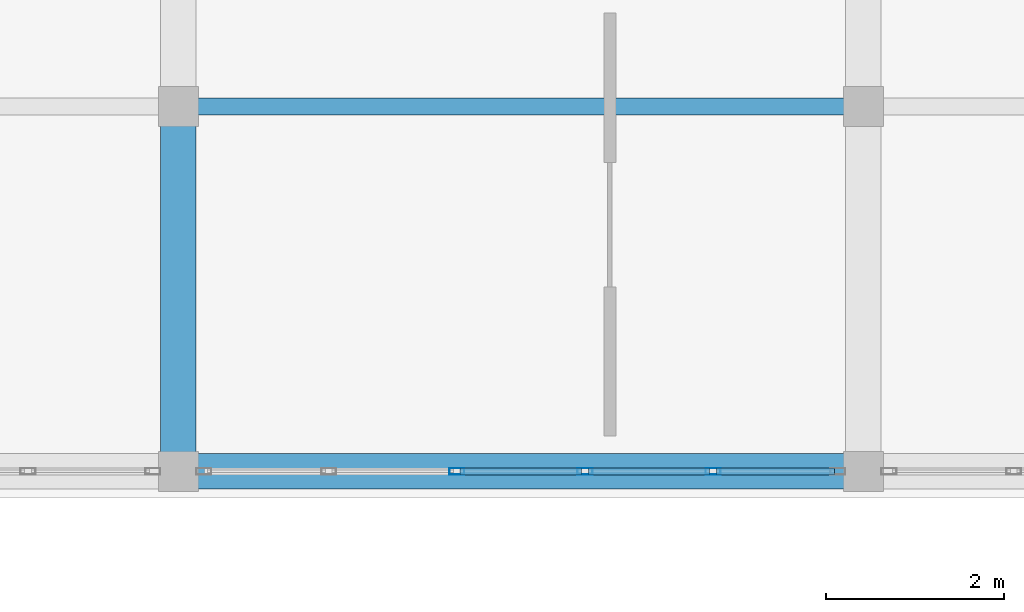
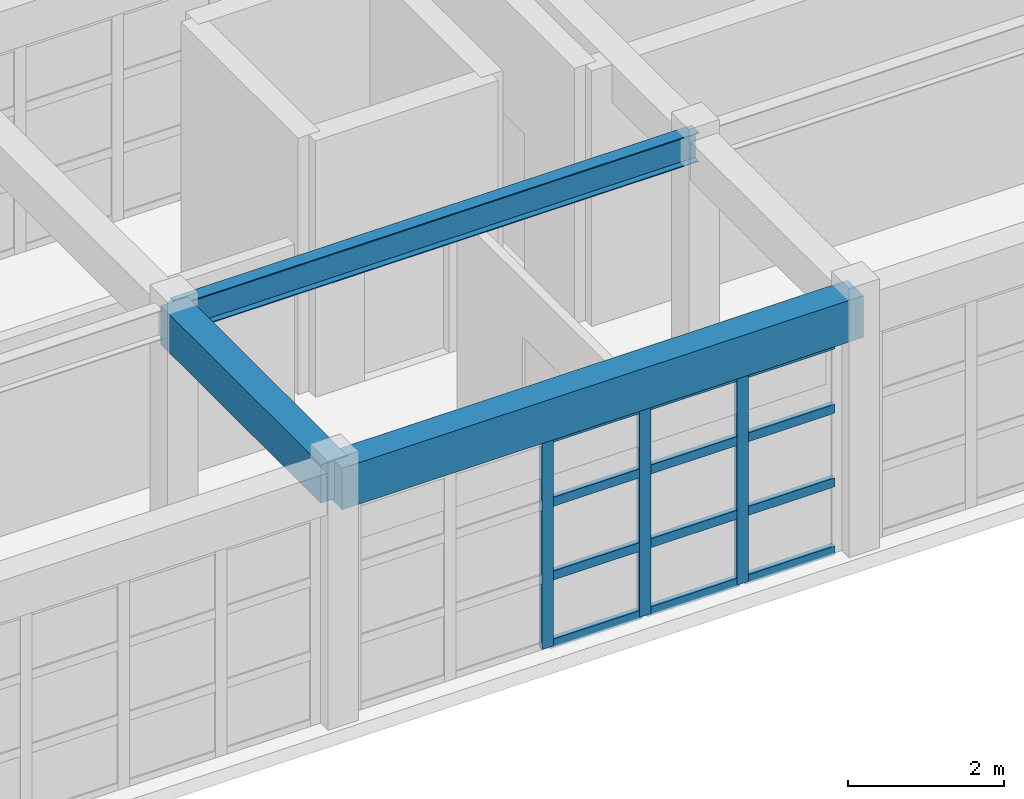
# One storey, part 13 of 52: 15 members, 3 beams, 1 element without a shape of its own.
"""IFC4 building model written with IfcOpenShell, lengths in metres."""

from ifc_helpers import new_model, si_unit, direction, frame, origin, origin_2d, place, context, subcontext, project, spatial, rectangle, hollow_rectangle, i_section, extrude, material, layer, layer_set, material_profile, profile_set, type_object, element, aggregate, save


model = new_model("IFC4")

# Units and contexts
model_context = context("Model", 3, precision=1e-05, world=origin(), true_north=direction((0.0, 1.0)))
body_context = subcontext(model_context, "Body", "Model", "MODEL_VIEW")
ifc_project = project(units=[si_unit("LENGTHUNIT", "METRE"), si_unit("AREAUNIT", "SQUARE_METRE"), si_unit("VOLUMEUNIT", "CUBIC_METRE"), si_unit("PLANEANGLEUNIT", "RADIAN"), si_unit("MASSUNIT", "GRAM", prefix="KILO")], contexts=[model_context])

# Site, building, storey
site_placement = place(None, origin())
site = spatial("IfcSite", under=ifc_project, at=site_placement, CompositionType="ELEMENT")
building_placement = place(site_placement, origin())
building = spatial("IfcBuilding", under=site, at=building_placement, Name="Candilejo Ridge Gondola Terminal", CompositionType="ELEMENT")
storey_placement = place(building_placement, frame((0.0, 0.0, 18.60009765625)))
storey = spatial("IfcBuildingStorey", under=building, at=storey_placement, Name="L04", CompositionType="ELEMENT", Elevation=18.60009765625)

# Curtain wall, members
ifc_material_1 = material(Name="Anodised aluminium AA 6063-T6", Category="aluminium")
ifc_layer = layer(ifc_material_1, 0.169921875)
ifc_layer_set = layer_set([ifc_layer], Name="ARC-CW-GALLERY-3200-720X329")
curtain_wall_type = type_object("IfcCurtainWallType", Name="ARC-CW-GALLERY-3200-720X329", PredefinedType="NOTDEFINED", material=ifc_layer_set)
curtain_wall_placement = place(storey_placement, origin())
curtain_wall = element("IfcCurtainWall", 1, at=curtain_wall_placement, inside=storey, type_object=curtain_wall_type, Name="Curtain wall V3 L04-107", PredefinedType="NOTDEFINED")
ifc_material_2 = material(Name="Anodised aluminium AA 6063-T6", Category="aluminium")
ifc_material_profile_1 = material_profile(ifc_material_2, hollow_rectangle(XDim=0.074951171875, YDim=0.169921875, WallThickness=0.00390625, at=origin_2d()))
ifc_profile_set_1 = profile_set([ifc_material_profile_1], Name="Anodised aluminium AA 6063-T6")
member_type_1 = type_object("IfcMemberType", Name="ARC-CW-MULLION", PredefinedType="MULLION", material=ifc_profile_set_1)
member_1_placement = place(storey_placement, frame((120.679931640625, 25.699951171875, 0.0), z_axis=(0.0, 0.0, 1.0), x_axis=(0.0, 1.0, 0.0)))
member_1 = element("IfcMember", 2, at=member_1_placement, type_object=member_type_1, Name="CW-72X32 mullion 3", PredefinedType="MULLION", context=body_context, shape_type="SweptSolid", body=[
    extrude(hollow_rectangle(XDim=0.074951171875, YDim=0.169921875, WallThickness=0.00390625, at=origin_2d()), origin(), (0.0, 0.0, 1.0), 3.289794921875),
])
member_2_placement = place(storey_placement, frame((122.1201171875, 25.699951171875, 0.0), z_axis=(0.0, 0.0, 1.0), x_axis=(0.0, 1.0, 0.0)))
member_2 = element("IfcMember", 3, at=member_2_placement, type_object=member_type_1, Name="CW-72X32 mullion 4", PredefinedType="MULLION", context=body_context, shape_type="SweptSolid", body=[
    extrude(hollow_rectangle(XDim=0.074951171875, YDim=0.169921875, WallThickness=0.00390625, at=origin_2d()), origin(), (0.0, 0.0, 1.0), 3.289794921875),
])
member_3_placement = place(storey_placement, frame((123.56005859375, 25.699951171875, 0.0), z_axis=(0.0, 0.0, 1.0), x_axis=(0.0, 1.0, 0.0)))
member_3 = element("IfcMember", 4, at=member_3_placement, type_object=member_type_1, Name="CW-72X32 mullion 5", PredefinedType="MULLION", context=body_context, shape_type="SweptSolid", body=[
    extrude(hollow_rectangle(XDim=0.074951171875, YDim=0.169921875, WallThickness=0.00390625, at=origin_2d()), origin(), (0.0, 0.0, 1.0), 3.289794921875),
])
ifc_material_3 = material(Name="Anodised aluminium AA 6063-T6", Category="aluminium")
ifc_material_profile_2 = material_profile(ifc_material_3, hollow_rectangle(XDim=0.074951171875, YDim=0.139892578125, WallThickness=0.00390625, at=origin_2d()))
ifc_profile_set_2 = profile_set([ifc_material_profile_2], Name="Anodised aluminium AA 6063-T6")
member_type_2 = type_object("IfcMemberType", Name="ARC-CW-TRANSOM", PredefinedType="USERDEFINED", material=ifc_profile_set_2)
member_4_placement = place(storey_placement, frame((120.717529296875, 25.699951171875, 0.037353515625), z_axis=(1.0, 0.0, 0.0), x_axis=(0.0, 1.0, 0.0)))
member_4 = element("IfcMember", 5, at=member_4_placement, type_object=member_type_2, Name="CW-72X32 transom 3.1", ObjectType="TRANSOM", PredefinedType="USERDEFINED", context=body_context, shape_type="SweptSolid", body=[
    extrude(hollow_rectangle(XDim=0.074951171875, YDim=0.139892578125, WallThickness=0.00390625, at=origin_2d()), origin(), (0.0, 0.0, 1.0), 1.364990234375),
])
member_5_placement = place(storey_placement, frame((120.717529296875, 25.699951171875, 1.099853515625), z_axis=(1.0, 0.0, 0.0), x_axis=(0.0, 1.0, 0.0)))
member_5 = element("IfcMember", 6, at=member_5_placement, type_object=member_type_2, Name="CW-72X32 transom 3.2", ObjectType="TRANSOM", PredefinedType="USERDEFINED", context=body_context, shape_type="SweptSolid", body=[
    extrude(hollow_rectangle(XDim=0.074951171875, YDim=0.139892578125, WallThickness=0.00390625, at=origin_2d()), origin(), (0.0, 0.0, 1.0), 1.364990234375),
])
member_6_placement = place(storey_placement, frame((120.717529296875, 25.699951171875, 2.25), z_axis=(1.0, 0.0, 0.0), x_axis=(0.0, 1.0, 0.0)))
member_6 = element("IfcMember", 7, at=member_6_placement, type_object=member_type_2, Name="CW-72X32 transom 3.3", ObjectType="TRANSOM", PredefinedType="USERDEFINED", context=body_context, shape_type="SweptSolid", body=[
    extrude(hollow_rectangle(XDim=0.074951171875, YDim=0.139892578125, WallThickness=0.00390625, at=origin_2d()), origin(), (0.0, 0.0, 1.0), 1.364990234375),
])
member_7_placement = place(storey_placement, frame((120.717529296875, 25.699951171875, 3.25244140625), z_axis=(1.0, 0.0, 0.0), x_axis=(0.0, 1.0, 0.0)))
member_7 = element("IfcMember", 8, at=member_7_placement, type_object=member_type_2, Name="CW-72X32 transom 3.4", ObjectType="TRANSOM", PredefinedType="USERDEFINED", context=body_context, shape_type="SweptSolid", body=[
    extrude(hollow_rectangle(XDim=0.074951171875, YDim=0.139892578125, WallThickness=0.00390625, at=origin_2d()), origin(), (0.0, 0.0, 1.0), 1.364990234375),
])
member_8_placement = place(storey_placement, frame((122.157470703125, 25.699951171875, 0.037353515625), z_axis=(1.0, 0.0, 0.0), x_axis=(0.0, 1.0, 0.0)))
member_8 = element("IfcMember", 9, at=member_8_placement, type_object=member_type_2, Name="CW-72X32 transom 4.1", ObjectType="TRANSOM", PredefinedType="USERDEFINED", context=body_context, shape_type="SweptSolid", body=[
    extrude(hollow_rectangle(XDim=0.074951171875, YDim=0.139892578125, WallThickness=0.00390625, at=origin_2d()), origin(), (0.0, 0.0, 1.0), 1.364990234375),
])
member_9_placement = place(storey_placement, frame((122.157470703125, 25.699951171875, 1.099853515625), z_axis=(1.0, 0.0, 0.0), x_axis=(0.0, 1.0, 0.0)))
member_9 = element("IfcMember", 10, at=member_9_placement, type_object=member_type_2, Name="CW-72X32 transom 4.2", ObjectType="TRANSOM", PredefinedType="USERDEFINED", context=body_context, shape_type="SweptSolid", body=[
    extrude(hollow_rectangle(XDim=0.074951171875, YDim=0.139892578125, WallThickness=0.00390625, at=origin_2d()), origin(), (0.0, 0.0, 1.0), 1.364990234375),
])
member_10_placement = place(storey_placement, frame((122.157470703125, 25.699951171875, 2.25), z_axis=(1.0, 0.0, 0.0), x_axis=(0.0, 1.0, 0.0)))
member_10 = element("IfcMember", 11, at=member_10_placement, type_object=member_type_2, Name="CW-72X32 transom 4.3", ObjectType="TRANSOM", PredefinedType="USERDEFINED", context=body_context, shape_type="SweptSolid", body=[
    extrude(hollow_rectangle(XDim=0.074951171875, YDim=0.139892578125, WallThickness=0.00390625, at=origin_2d()), origin(), (0.0, 0.0, 1.0), 1.364990234375),
])
member_11_placement = place(storey_placement, frame((122.157470703125, 25.699951171875, 3.25244140625), z_axis=(1.0, 0.0, 0.0), x_axis=(0.0, 1.0, 0.0)))
member_11 = element("IfcMember", 12, at=member_11_placement, type_object=member_type_2, Name="CW-72X32 transom 4.4", ObjectType="TRANSOM", PredefinedType="USERDEFINED", context=body_context, shape_type="SweptSolid", body=[
    extrude(hollow_rectangle(XDim=0.074951171875, YDim=0.139892578125, WallThickness=0.00390625, at=origin_2d()), origin(), (0.0, 0.0, 1.0), 1.364990234375),
])
member_12_placement = place(storey_placement, frame((123.597412109375, 25.699951171875, 0.037353515625), z_axis=(1.0, 0.0, 0.0), x_axis=(0.0, 1.0, 0.0)))
member_12 = element("IfcMember", 13, at=member_12_placement, type_object=member_type_2, Name="CW-72X32 transom 5.1", ObjectType="TRANSOM", PredefinedType="USERDEFINED", context=body_context, shape_type="SweptSolid", body=[
    extrude(hollow_rectangle(XDim=0.074951171875, YDim=0.139892578125, WallThickness=0.00390625, at=origin_2d()), origin(), (0.0, 0.0, 1.0), 1.32763671875),
])
member_13_placement = place(storey_placement, frame((123.597412109375, 25.699951171875, 1.099853515625), z_axis=(1.0, 0.0, 0.0), x_axis=(0.0, 1.0, 0.0)))
member_13 = element("IfcMember", 14, at=member_13_placement, type_object=member_type_2, Name="CW-72X32 transom 5.2", ObjectType="TRANSOM", PredefinedType="USERDEFINED", context=body_context, shape_type="SweptSolid", body=[
    extrude(hollow_rectangle(XDim=0.074951171875, YDim=0.139892578125, WallThickness=0.00390625, at=origin_2d()), origin(), (0.0, 0.0, 1.0), 1.32763671875),
])
member_14_placement = place(storey_placement, frame((123.597412109375, 25.699951171875, 2.25), z_axis=(1.0, 0.0, 0.0), x_axis=(0.0, 1.0, 0.0)))
member_14 = element("IfcMember", 15, at=member_14_placement, type_object=member_type_2, Name="CW-72X32 transom 5.3", ObjectType="TRANSOM", PredefinedType="USERDEFINED", context=body_context, shape_type="SweptSolid", body=[
    extrude(hollow_rectangle(XDim=0.074951171875, YDim=0.139892578125, WallThickness=0.00390625, at=origin_2d()), origin(), (0.0, 0.0, 1.0), 1.32763671875),
])
member_15_placement = place(storey_placement, frame((123.597412109375, 25.699951171875, 3.25244140625), z_axis=(1.0, 0.0, 0.0), x_axis=(0.0, 1.0, 0.0)))
member_15 = element("IfcMember", 16, at=member_15_placement, type_object=member_type_2, Name="CW-72X32 transom 5.4", ObjectType="TRANSOM", PredefinedType="USERDEFINED", context=body_context, shape_type="SweptSolid", body=[
    extrude(hollow_rectangle(XDim=0.074951171875, YDim=0.139892578125, WallThickness=0.00390625, at=origin_2d()), origin(), (0.0, 0.0, 1.0), 1.32763671875),
])
aggregate(curtain_wall, [member_1, member_2, member_3, member_4, member_5, member_6, member_7, member_8, member_9, member_10, member_11, member_12, member_13, member_14, member_15])

# Beams
ifc_material_4 = material(Name="Concrete f'c 35 MPa (C35/45)", Category="concrete")
ifc_material_profile_3 = material_profile(ifc_material_4, rectangle(XDim=0.39990234375, YDim=0.60009765625, at=origin_2d()))
ifc_profile_set_3 = profile_set([ifc_material_profile_3], Name="Concrete f'c 35 MPa (C35/45)")
beam_type_1 = type_object("IfcBeamType", Name="STR-BM-RC400X600", PredefinedType="BEAM", material=ifc_profile_set_3)
beam_1_placement = place(storey_placement, frame((117.550048828125, 25.699951171875, 3.699951171875), z_axis=(0.0, 1.0, 0.0), x_axis=(-1.0, 0.0, 0.0)))
element("IfcBeam", 17, at=beam_1_placement, inside=storey, type_object=beam_type_1, Name="Beam Y V3 L04 Y05-Y06@X18", PredefinedType="BEAM", context=body_context, shape_type="SweptSolid", body=[
    extrude(rectangle(XDim=0.39990234375, YDim=0.60009765625, at=origin_2d()), origin(), (0.0, 0.0, 1.0), 4.10009765625),
])
ifc_material_5 = material(Name="Steel ASTM A992 Grade 50", Category="steel")
ifc_material_profile_4 = material_profile(ifc_material_5, i_section(OverallWidth=0.18994140625, OverallDepth=0.45703125, WebThickness=0.009033203125, FlangeThickness=0.014404296875, at=origin_2d()))
ifc_profile_set_4 = profile_set([ifc_material_profile_4], Name="Steel ASTM A992 Grade 50")
beam_type_2 = type_object("IfcBeamType", Name="STR-BM-W460X74", PredefinedType="BEAM", material=ifc_profile_set_4)
beam_2_placement = place(storey_placement, frame((117.550048828125, 29.800048828125, 3.771484375), z_axis=(1.0, 0.0, 0.0), x_axis=(0.0, 1.0, 0.0)))
element("IfcBeam", 18, at=beam_2_placement, inside=storey, type_object=beam_type_2, Name="Beam X V3 L04 X18-X19@Y06", PredefinedType="BEAM", context=body_context, shape_type="SweptSolid", body=[
    extrude(i_section(OverallWidth=0.18994140625, OverallDepth=0.45703125, WebThickness=0.009033203125, FlangeThickness=0.014404296875, at=origin_2d()), origin(), (0.0, 0.0, 1.0), 7.699951171875),
])
ifc_material_6 = material(Name="Concrete f'c 35 MPa (C35/45)", Category="concrete")
ifc_material_profile_5 = material_profile(ifc_material_6, rectangle(XDim=0.39990234375, YDim=0.64990234375, at=origin_2d()))
ifc_profile_set_5 = profile_set([ifc_material_profile_5], Name="Concrete f'c 35 MPa (C35/45)")
beam_type_3 = type_object("IfcBeamType", Name="STR-SPN-RC400X650", PredefinedType="SPANDREL", material=ifc_profile_set_5)
beam_3_placement = place(storey_placement, frame((117.550048828125, 25.699951171875, 3.6748046875), z_axis=(1.0, 0.0, 0.0), x_axis=(0.0, 1.0, 0.0)))
element("IfcBeam", 19, at=beam_3_placement, inside=storey, type_object=beam_type_3, Name="Beam X V3 L04 X18-X19@Y05", PredefinedType="SPANDREL", context=body_context, shape_type="SweptSolid", body=[
    extrude(rectangle(XDim=0.39990234375, YDim=0.64990234375, at=origin_2d()), origin(), (0.0, 0.0, 1.0), 7.699951171875),
])

save(model, "model.ifc")
